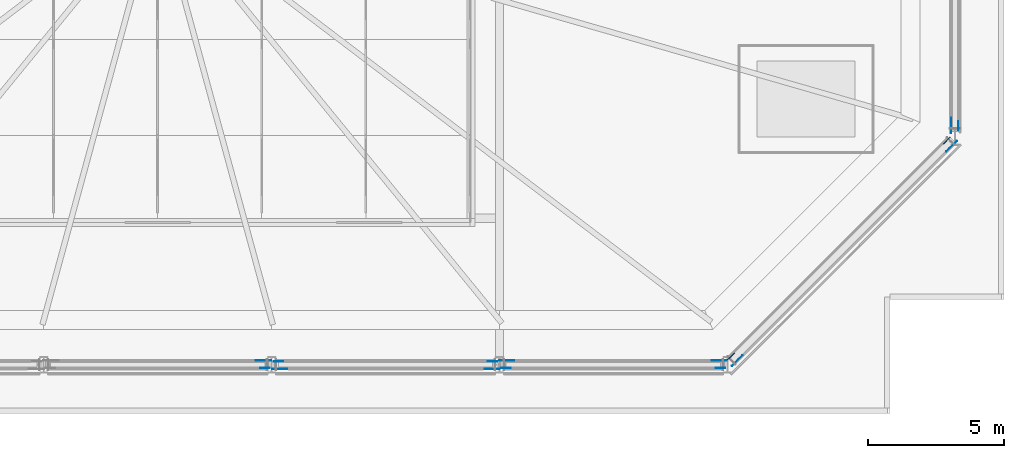
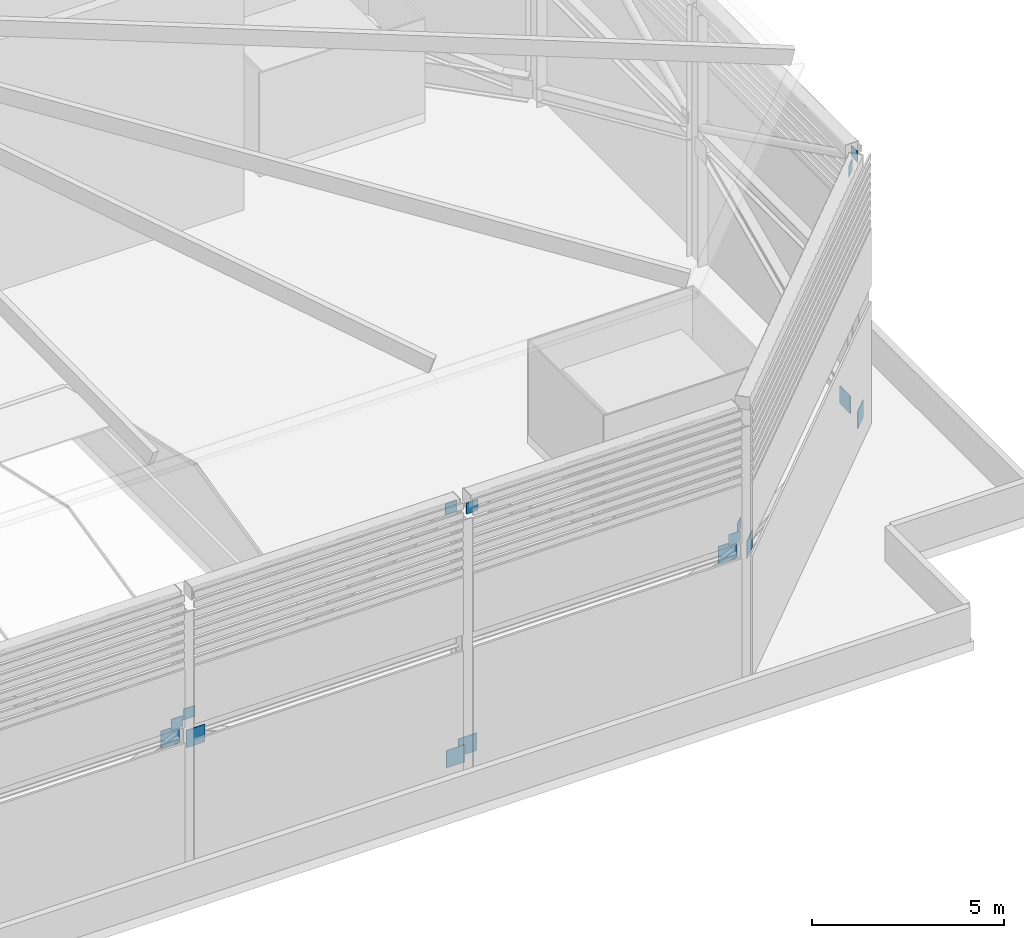
# One storey, part 17 of 22: 16 discrete accessories.
"""IFC4 building model written with IfcOpenShell, lengths in metres."""

from ifc_helpers import new_model, si_unit, direction, frame, origin, origin_2d, place, context, subcontext, project, spatial, rectangle, extrude, element, save


model = new_model("IFC4")

# Units and contexts
model_context = context("Model", 3, precision=1e-05, world=origin(), true_north=direction((0.0, 1.0)))
body_context = subcontext(model_context, "Body", "Model", "MODEL_VIEW")
ifc_project = project(units=[si_unit("LENGTHUNIT", "METRE"), si_unit("AREAUNIT", "SQUARE_METRE"), si_unit("VOLUMEUNIT", "CUBIC_METRE"), si_unit("PLANEANGLEUNIT", "RADIAN"), si_unit("MASSUNIT", "GRAM", prefix="KILO")], contexts=[model_context])

# Site, building, storey
site_placement = place(None, origin())
site = spatial("IfcSite", under=ifc_project, at=site_placement, CompositionType="ELEMENT")
building_placement = place(site_placement, origin())
building = spatial("IfcBuilding", under=site, at=building_placement, Name="Saffron Gate Tower", CompositionType="ELEMENT")
storey_placement = place(building_placement, frame((0.0, 0.0, 314.85009765625)))
storey = spatial("IfcBuildingStorey", under=building, at=storey_placement, Name="Roof crown", CompositionType="ELEMENT", Elevation=314.85009765625)

# Discrete accessories
discrete_accessory_1_placement = place(storey_placement, frame((91.50146484375, 40.35009765625, 3.564208984375), z_axis=(0.0, 0.0, 1.0), x_axis=(1.0, 0.0, 0.0)))
element("IfcDiscreteAccessory", 1, at=discrete_accessory_1_placement, inside=storey, Name="GUSSET PLATE", ObjectType="GUSSET PLATE", PredefinedType="USERDEFINED", context=body_context, shape_type="SweptSolid", body=[
    extrude(rectangle(XDim=0.56005859375, YDim=0.02001953125, at=origin_2d()), origin(), (0.0, 0.0, 1.0), 0.56005859375),
])
discrete_accessory_2_placement = place(storey_placement, frame((91.551025390625, 40.077880859375, 4.262451171875), z_axis=(0.0, 0.0, 1.0), x_axis=(-1.0, 0.0, 0.0)))
element("IfcDiscreteAccessory", 2, at=discrete_accessory_2_placement, inside=storey, Name="GUSSET PLATE", ObjectType="GUSSET PLATE", PredefinedType="USERDEFINED", context=body_context, shape_type="SweptSolid", body=[
    extrude(rectangle(XDim=0.35009765625, YDim=0.02001953125, at=origin_2d()), origin(), (0.0, 0.0, 1.0), 0.35009765625),
])
for number, where, z_axis, x_axis, name in (
    (3, (99.931396484375, 40.050048828125, 0.175537109375), (0.0, 0.0, 1.0), (-1.0, 0.0, 0.0), "GUSSET PLATE"),
    (4, (92.098388671875, 40.050048828125, 3.564208984375), (0.0, 0.0, 1.0), (-1.0, 0.0, 0.0), "GUSSET PLATE"),
):
    element("IfcDiscreteAccessory", number, at=place(storey_placement, frame(where, z_axis=z_axis, x_axis=x_axis)), inside=storey, Name=name, ObjectType="GUSSET PLATE", PredefinedType="USERDEFINED", context=body_context, shape_type="SweptSolid", body=[
        extrude(rectangle(XDim=0.56005859375, YDim=0.02001953125, at=origin_2d()), origin(), (0.0, 0.0, 1.0), 0.56005859375),
    ])
for number, where, z_axis, x_axis, name in (
    (5, (92.049072265625, 40.322265625, 4.262451171875), (0.0, 0.0, 1.0), (1.0, 0.0, 0.0), "GUSSET PLATE"),
    (6, (99.950927734375, 40.322265625, 8.037109375), (0.0, 0.0, 1.0), (1.0, 0.0, 0.0), "GUSSET PLATE"),
):
    element("IfcDiscreteAccessory", number, at=place(storey_placement, frame(where, z_axis=z_axis, x_axis=x_axis)), inside=storey, Name=name, ObjectType="GUSSET PLATE", PredefinedType="USERDEFINED", context=body_context, shape_type="SweptSolid", body=[
        extrude(rectangle(XDim=0.35009765625, YDim=0.02001953125, at=origin_2d()), origin(), (0.0, 0.0, 1.0), 0.35009765625),
    ])
for number, where, z_axis, x_axis, name in (
    (7, (100.468505859375, 40.35009765625, 0.175537109375), (0.0, 0.0, 1.0), (1.0, 0.0, 0.0), "GUSSET PLATE"),
    (8, (108.301513671875, 40.35009765625, 3.564208984375), (0.0, 0.0, 1.0), (1.0, 0.0, 0.0), "GUSSET PLATE"),
):
    element("IfcDiscreteAccessory", number, at=place(storey_placement, frame(where, z_axis=z_axis, x_axis=x_axis)), inside=storey, Name=name, ObjectType="GUSSET PLATE", PredefinedType="USERDEFINED", context=body_context, shape_type="SweptSolid", body=[
        extrude(rectangle(XDim=0.56005859375, YDim=0.02001953125, at=origin_2d()), origin(), (0.0, 0.0, 1.0), 0.56005859375),
    ])
for number, where, z_axis, x_axis, name in (
    (9, (108.35107421875, 40.077880859375, 4.262451171875), (0.0, 0.0, 1.0), (-1.0, 0.0, 0.0), "GUSSET PLATE"),
    (10, (100.448974609375, 40.077880859375, 8.037109375), (0.0, 0.0, 1.0), (-1.0, 0.0, 0.0), "GUSSET PLATE"),
):
    element("IfcDiscreteAccessory", number, at=place(storey_placement, frame(where, z_axis=z_axis, x_axis=x_axis)), inside=storey, Name=name, ObjectType="GUSSET PLATE", PredefinedType="USERDEFINED", context=body_context, shape_type="SweptSolid", body=[
        extrude(rectangle(XDim=0.35009765625, YDim=0.02001953125, at=origin_2d()), origin(), (0.0, 0.0, 1.0), 0.35009765625),
    ])
for number, where, z_axis, x_axis, name in (
    (11, (116.868408203125, 48.25634765625, 0.160888671875), (0.0, 0.0, 1.0), (-0.707106781187, -0.707106781187, 0.0), "GUSSET PLATE"),
    (12, (108.96484375, 40.352783203125, 3.578857421875), (0.0, 0.0, 1.0), (-0.707106781187, -0.707106781187, 0.0), "GUSSET PLATE"),
):
    element("IfcDiscreteAccessory", number, at=place(storey_placement, frame(where, z_axis=z_axis, x_axis=x_axis)), inside=storey, Name=name, ObjectType="GUSSET PLATE", PredefinedType="USERDEFINED", context=body_context, shape_type="SweptSolid", body=[
        extrude(rectangle(XDim=0.56005859375, YDim=0.02001953125, at=origin_2d()), origin(), (0.0, 0.0, 1.0), 0.56005859375),
    ])
for number, where, z_axis, x_axis, name in (
    (13, (108.736328125, 40.50927734375, 4.2529296875), (0.0, 0.0, 1.0), (0.707106781187, 0.707106781187, 0.0), "GUSSET PLATE"),
    (14, (116.69091796875, 48.463623046875, 8.046875), (0.0, 0.0, 1.0), (0.707106781187, 0.707106781187, 0.0), "GUSSET PLATE"),
):
    element("IfcDiscreteAccessory", number, at=place(storey_placement, frame(where, z_axis=z_axis, x_axis=x_axis)), inside=storey, Name=name, ObjectType="GUSSET PLATE", PredefinedType="USERDEFINED", context=body_context, shape_type="SweptSolid", body=[
        extrude(rectangle(XDim=0.35009765625, YDim=0.02001953125, at=origin_2d()), origin(), (0.0, 0.0, 1.0), 0.35009765625),
    ])
discrete_accessory_3_placement = place(storey_placement, frame((116.85009765625, 49.017578125, 0.17724609375), z_axis=(0.0, 0.0, 1.0), x_axis=(0.0, 1.0, 0.0)))
element("IfcDiscreteAccessory", 15, at=discrete_accessory_3_placement, inside=storey, Name="GUSSET PLATE", ObjectType="GUSSET PLATE", PredefinedType="USERDEFINED", context=body_context, shape_type="SweptSolid", body=[
    extrude(rectangle(XDim=0.56005859375, YDim=0.02001953125, at=origin_2d()), origin(), (0.0, 0.0, 1.0), 0.56005859375),
])
discrete_accessory_4_placement = place(storey_placement, frame((117.122314453125, 48.998291015625, 8.035888671875), z_axis=(0.0, 0.0, 1.0), x_axis=(0.0, -1.0, 0.0)))
element("IfcDiscreteAccessory", 16, at=discrete_accessory_4_placement, inside=storey, Name="GUSSET PLATE", ObjectType="GUSSET PLATE", PredefinedType="USERDEFINED", context=body_context, shape_type="SweptSolid", body=[
    extrude(rectangle(XDim=0.35009765625, YDim=0.02001953125, at=origin_2d()), origin(), (0.0, 0.0, 1.0), 0.35009765625),
])

save(model, "model.ifc")
